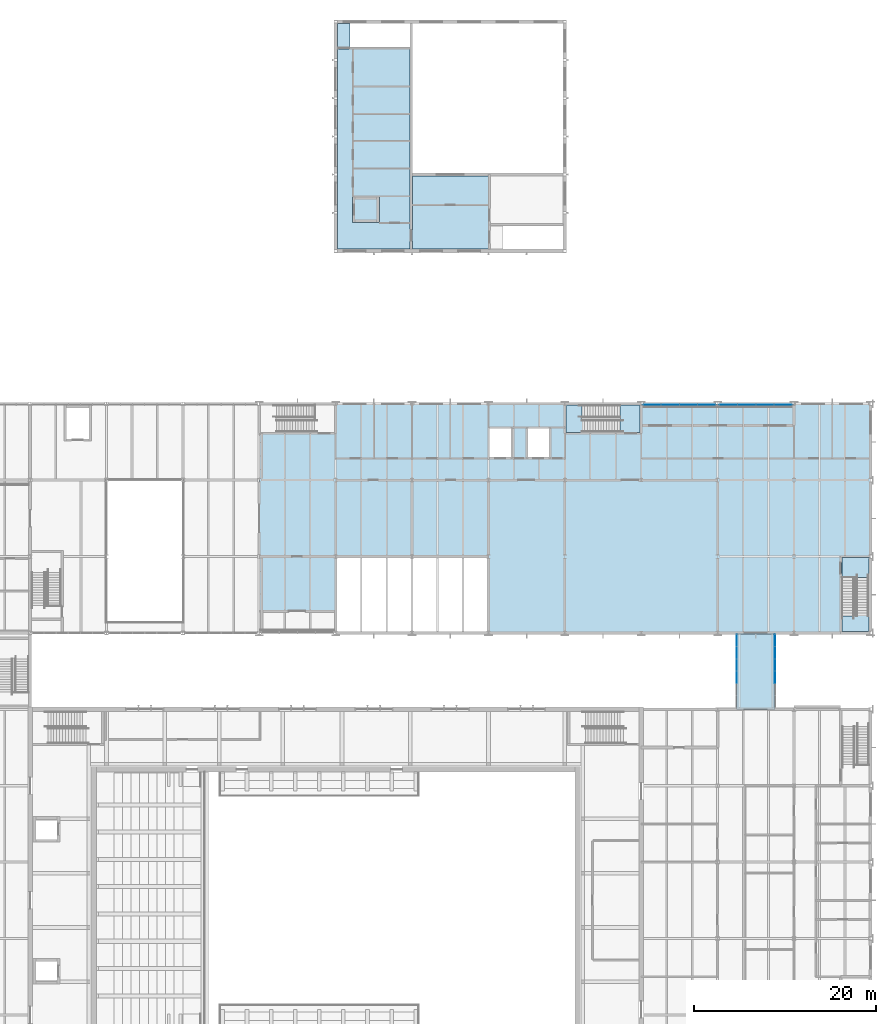
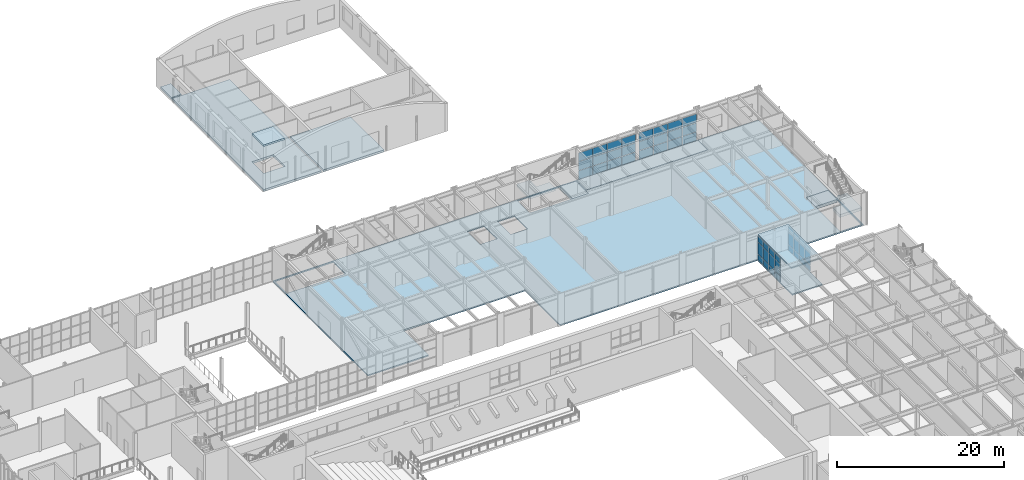
# One storey, part 64 of 127: 48 plates, 12 slabs, 6 elements without a shape of their own.
"""IFC4 building model written with IfcOpenShell, lengths in metres."""

from ifc_helpers import new_model, si_unit, direction, frame, origin, origin_2d, place, context, subcontext, project, spatial, polyline, rectangle, outline, extrude, material, layer, layer_set, type_object, element, aggregate, save


model = new_model("IFC4")

# Units and contexts
model_context = context("Model", 3, precision=1e-05, world=origin(), true_north=direction((0.0, 1.0)))
body_context = subcontext(model_context, "Body", "Model", "MODEL_VIEW")
ifc_project = project(units=[si_unit("LENGTHUNIT", "METRE"), si_unit("AREAUNIT", "SQUARE_METRE"), si_unit("VOLUMEUNIT", "CUBIC_METRE"), si_unit("PLANEANGLEUNIT", "RADIAN"), si_unit("MASSUNIT", "GRAM", prefix="KILO")], contexts=[model_context])

# Site, building, storey
site_placement = place(None, origin())
site = spatial("IfcSite", under=ifc_project, at=site_placement, CompositionType="ELEMENT")
building_placement = place(site_placement, origin())
building = spatial("IfcBuilding", under=site, at=building_placement, Name="Ljudholm Concert House", CompositionType="ELEMENT")
storey_placement = place(building_placement, frame((0.0, 0.0, 5.39990234375)))
storey = spatial("IfcBuildingStorey", under=building, at=storey_placement, Name="L01", CompositionType="ELEMENT", Elevation=5.39990234375)

# Slabs
ifc_material_1 = material(Name="Concrete 5,000 psi", Category="concrete")
ifc_layer_1 = layer(ifc_material_1, 0.179931640625)
ifc_layer_set_1 = layer_set([ifc_layer_1], Name="Concrete 5,000 psi")
slab_type_1 = type_object("IfcSlabType", Name="COMPOSITE FLOOR SLAB 180", PredefinedType="FLOOR", material=ifc_layer_set_1)
slab_1_placement = place(storey_placement, frame((0.0, 0.0, -0.179931640625)))
element("IfcSlab", 1, at=slab_1_placement, inside=storey, type_object=slab_type_1, Name="Composite floor slab", PredefinedType="FLOOR", context=body_context, shape_type="SweptSolid", body=[
    extrude(outline(polyline([(121.60009765625, 130.0), (121.60009765625, 104.800048828125), (79.60009765625, 104.800048828125), (79.60009765625, 113.199951171875), (62.800048828125, 113.199951171875), (62.800048828125, 107.199951171875), (54.39990234375, 107.199951171875), (54.39990234375, 130.0), (96.39990234375, 130.0), (96.39990234375, 127.60009765625), (113.199951171875, 127.60009765625), (113.199951171875, 130.0), (121.60009765625, 130.0)]), holes=[polyline([(121.449951171875, 113.074951171875), (118.449951171875, 113.074951171875), (118.449951171875, 104.949951171875), (121.449951171875, 104.949951171875), (121.449951171875, 113.074951171875)]), polyline([(82.074951171875, 127.27490234375), (79.72509765625, 127.27490234375), (79.72509765625, 124.125), (82.074951171875, 124.125), (82.074951171875, 127.27490234375)]), polyline([(86.27490234375, 127.27490234375), (83.925048828125, 127.27490234375), (83.925048828125, 124.125), (86.27490234375, 124.125), (86.27490234375, 127.27490234375)]), polyline([(62.675048828125, 129.85009765625), (54.550048828125, 129.85009765625), (54.550048828125, 126.85009765625), (62.675048828125, 126.85009765625), (62.675048828125, 129.85009765625)]), polyline([(96.27490234375, 129.85009765625), (88.125, 129.85009765625), (88.125, 126.85009765625), (96.27490234375, 126.85009765625), (96.27490234375, 129.85009765625)])]), origin(), (0.0, 0.0, 1.0), 0.179931640625),
])
slab_2_placement = place(storey_placement, frame((0.0, 0.0, -0.179931640625)))
element("IfcSlab", 2, at=slab_2_placement, inside=storey, type_object=slab_type_1, Name="Bridge floor slab", PredefinedType="FLOOR", context=body_context, shape_type="SweptSolid", body=[
    extrude(outline(polyline([(106.89990234375, 96.39990234375), (111.10009765625, 96.39990234375), (111.10009765625, 104.800048828125), (106.89990234375, 104.800048828125), (106.89990234375, 96.39990234375)])), origin(), (0.0, 0.0, 1.0), 0.179931640625),
])
ifc_material_2 = material(Name="Concrete 5,000 psi", Category="concrete")
ifc_layer_2 = layer(ifc_material_2, 0.179931640625)
ifc_layer_set_2 = layer_set([ifc_layer_2], Name="Concrete 5,000 psi")
slab_type_2 = type_object("IfcSlabType", Name="COMPOSITE FLOOR SLAB 180 EXTERNAL", PredefinedType="FLOOR", material=ifc_layer_set_2)
slab_3_placement = place(storey_placement, frame((0.0, 0.0, -0.179931640625)))
element("IfcSlab", 3, at=slab_3_placement, inside=storey, type_object=slab_type_2, Name="Loggia floor slab", PredefinedType="FLOOR", context=body_context, shape_type="SweptSolid", body=[
    extrude(outline(polyline([(96.39990234375, 127.60009765625), (113.199951171875, 127.60009765625), (113.199951171875, 130.0), (96.39990234375, 130.0), (96.39990234375, 127.60009765625)])), origin(), (0.0, 0.0, 1.0), 0.179931640625),
])
ifc_material_3 = material(Name="Concrete 5,000 psi", Category="concrete")
ifc_layer_3 = layer(ifc_material_3, 0.179931640625)
ifc_layer_set_3 = layer_set([ifc_layer_3], Name="Concrete 5,000 psi")
slab_type_3 = type_object("IfcSlabType", Name="COMPOSITE ROOF SLAB 180", PredefinedType="ROOF", material=ifc_layer_set_3)
slab_4_placement = place(storey_placement, frame((0.0, 0.0, 3.6201171875)))
element("IfcSlab", 4, at=slab_4_placement, inside=storey, type_object=slab_type_3, Name="Bridge roof slab", PredefinedType="ROOF", context=body_context, shape_type="SweptSolid", body=[
    extrude(outline(polyline([(106.89990234375, 96.550048828125), (111.10009765625, 96.550048828125), (111.10009765625, 104.64990234375), (106.89990234375, 104.64990234375), (106.89990234375, 96.550048828125)])), origin(), (0.0, 0.0, 1.0), 0.179931640625),
])

# Curtain wall, plates
ifc_material_4 = material(Name="Aluminium curtain wall with impact-rated laminated glass", Category="aluminium")
curtain_wall_type_1 = type_object("IfcCurtainWallType", Name="CURTAIN WALL 1350", PredefinedType="NOTDEFINED", material=ifc_material_4)
curtain_wall_1_placement = place(storey_placement, origin())
curtain_wall_1 = element("IfcCurtainWall", 5, at=curtain_wall_1_placement, inside=storey, type_object=curtain_wall_type_1, Name="Bridge curtain wall", PredefinedType="NOTDEFINED")
ifc_material_5 = material(Name="Impact-rated laminated glass", Category="glass")
ifc_layer_4 = layer(ifc_material_5, 0.028076171875)
ifc_layer_set_4 = layer_set([ifc_layer_4], Name="Impact-rated laminated glass")
plate_type_1 = type_object("IfcPlateType", Name="CURTAIN PANEL 28", PredefinedType="CURTAIN_PANEL", material=ifc_layer_set_4)
plate_1_placement = place(storey_placement, frame((106.89990234375, 99.925048828125, 0.06005859375), z_axis=(0.0, 0.0, 1.0), x_axis=(0.0, 1.0, 0.0)))
plate_1 = element("IfcPlate", 6, at=plate_1_placement, type_object=plate_type_1, Name="Curtain wall panel", PredefinedType="CURTAIN_PANEL", context=body_context, shape_type="SweptSolid", body=[
    extrude(rectangle(XDim=1.2900390625, YDim=0.028076171875, at=origin_2d()), origin(), (0.0, 0.0, 1.0), 0.81005859375),
])
plate_2_placement = place(storey_placement, frame((106.89990234375, 99.925048828125, 0.93017578125), z_axis=(0.0, 0.0, 1.0), x_axis=(0.0, 1.0, 0.0)))
plate_2 = element("IfcPlate", 7, at=plate_2_placement, type_object=plate_type_1, Name="Curtain wall panel", PredefinedType="CURTAIN_PANEL", context=body_context, shape_type="SweptSolid", body=[
    extrude(rectangle(XDim=1.2900390625, YDim=0.028076171875, at=origin_2d()), origin(), (0.0, 0.0, 1.0), 1.739990234375),
])
plate_3_placement = place(storey_placement, frame((106.89990234375, 99.925048828125, 2.72998046875), z_axis=(0.0, 0.0, 1.0), x_axis=(0.0, 1.0, 0.0)))
plate_3 = element("IfcPlate", 8, at=plate_3_placement, type_object=plate_type_1, Name="Curtain wall panel", PredefinedType="CURTAIN_PANEL", context=body_context, shape_type="SweptSolid", body=[
    extrude(rectangle(XDim=1.2900390625, YDim=0.028076171875, at=origin_2d()), origin(), (0.0, 0.0, 1.0), 0.830078125),
])
plate_4_placement = place(storey_placement, frame((106.89990234375, 101.27490234375, 0.06005859375), z_axis=(0.0, 0.0, 1.0), x_axis=(0.0, 1.0, 0.0)))
plate_4 = element("IfcPlate", 9, at=plate_4_placement, type_object=plate_type_1, Name="Curtain wall panel", PredefinedType="CURTAIN_PANEL", context=body_context, shape_type="SweptSolid", body=[
    extrude(rectangle(XDim=1.2900390625, YDim=0.028076171875, at=origin_2d()), origin(), (0.0, 0.0, 1.0), 0.81005859375),
])
plate_5_placement = place(storey_placement, frame((106.89990234375, 101.27490234375, 0.93017578125), z_axis=(0.0, 0.0, 1.0), x_axis=(0.0, 1.0, 0.0)))
plate_5 = element("IfcPlate", 10, at=plate_5_placement, type_object=plate_type_1, Name="Curtain wall panel", PredefinedType="CURTAIN_PANEL", context=body_context, shape_type="SweptSolid", body=[
    extrude(rectangle(XDim=1.2900390625, YDim=0.028076171875, at=origin_2d()), origin(), (0.0, 0.0, 1.0), 1.739990234375),
])
plate_6_placement = place(storey_placement, frame((106.89990234375, 101.27490234375, 2.72998046875), z_axis=(0.0, 0.0, 1.0), x_axis=(0.0, 1.0, 0.0)))
plate_6 = element("IfcPlate", 11, at=plate_6_placement, type_object=plate_type_1, Name="Curtain wall panel", PredefinedType="CURTAIN_PANEL", context=body_context, shape_type="SweptSolid", body=[
    extrude(rectangle(XDim=1.2900390625, YDim=0.028076171875, at=origin_2d()), origin(), (0.0, 0.0, 1.0), 0.830078125),
])
plate_7_placement = place(storey_placement, frame((106.89990234375, 102.625, 0.06005859375), z_axis=(0.0, 0.0, 1.0), x_axis=(0.0, 1.0, 0.0)))
plate_7 = element("IfcPlate", 12, at=plate_7_placement, type_object=plate_type_1, Name="Curtain wall panel", PredefinedType="CURTAIN_PANEL", context=body_context, shape_type="SweptSolid", body=[
    extrude(rectangle(XDim=1.2900390625, YDim=0.028076171875, at=origin_2d()), origin(), (0.0, 0.0, 1.0), 0.81005859375),
])
plate_8_placement = place(storey_placement, frame((106.89990234375, 102.625, 0.93017578125), z_axis=(0.0, 0.0, 1.0), x_axis=(0.0, 1.0, 0.0)))
plate_8 = element("IfcPlate", 13, at=plate_8_placement, type_object=plate_type_1, Name="Curtain wall panel", PredefinedType="CURTAIN_PANEL", context=body_context, shape_type="SweptSolid", body=[
    extrude(rectangle(XDim=1.2900390625, YDim=0.028076171875, at=origin_2d()), origin(), (0.0, 0.0, 1.0), 1.739990234375),
])
plate_9_placement = place(storey_placement, frame((106.89990234375, 102.625, 2.72998046875), z_axis=(0.0, 0.0, 1.0), x_axis=(0.0, 1.0, 0.0)))
plate_9 = element("IfcPlate", 14, at=plate_9_placement, type_object=plate_type_1, Name="Curtain wall panel", PredefinedType="CURTAIN_PANEL", context=body_context, shape_type="SweptSolid", body=[
    extrude(rectangle(XDim=1.2900390625, YDim=0.028076171875, at=origin_2d()), origin(), (0.0, 0.0, 1.0), 0.830078125),
])
plate_10_placement = place(storey_placement, frame((106.89990234375, 103.9599609375, 0.06005859375), z_axis=(0.0, 0.0, 1.0), x_axis=(0.0, 1.0, 0.0)))
plate_10 = element("IfcPlate", 15, at=plate_10_placement, type_object=plate_type_1, Name="Curtain wall panel", PredefinedType="CURTAIN_PANEL", context=body_context, shape_type="SweptSolid", body=[
    extrude(rectangle(XDim=1.260009765625, YDim=0.028076171875, at=origin_2d()), origin(), (0.0, 0.0, 1.0), 0.81005859375),
])
plate_11_placement = place(storey_placement, frame((106.89990234375, 103.9599609375, 0.93017578125), z_axis=(0.0, 0.0, 1.0), x_axis=(0.0, 1.0, 0.0)))
plate_11 = element("IfcPlate", 16, at=plate_11_placement, type_object=plate_type_1, Name="Curtain wall panel", PredefinedType="CURTAIN_PANEL", context=body_context, shape_type="SweptSolid", body=[
    extrude(rectangle(XDim=1.260009765625, YDim=0.028076171875, at=origin_2d()), origin(), (0.0, 0.0, 1.0), 1.739990234375),
])
plate_12_placement = place(storey_placement, frame((106.89990234375, 103.9599609375, 2.72998046875), z_axis=(0.0, 0.0, 1.0), x_axis=(0.0, 1.0, 0.0)))
plate_12 = element("IfcPlate", 17, at=plate_12_placement, type_object=plate_type_1, Name="Curtain wall panel", PredefinedType="CURTAIN_PANEL", context=body_context, shape_type="SweptSolid", body=[
    extrude(rectangle(XDim=1.260009765625, YDim=0.028076171875, at=origin_2d()), origin(), (0.0, 0.0, 1.0), 0.830078125),
])
aggregate(curtain_wall_1, [plate_1, plate_2, plate_3, plate_4, plate_5, plate_6, plate_7, plate_8, plate_9, plate_10, plate_11, plate_12])

curtain_wall_2_placement = place(storey_placement, origin())
curtain_wall_2 = element("IfcCurtainWall", 18, at=curtain_wall_2_placement, inside=storey, type_object=curtain_wall_type_1, Name="Bridge curtain wall", PredefinedType="NOTDEFINED")
plate_13_placement = place(storey_placement, frame((111.10009765625, 99.925048828125, 0.06005859375), z_axis=(0.0, 0.0, 1.0), x_axis=(0.0, 1.0, 0.0)))
plate_13 = element("IfcPlate", 19, at=plate_13_placement, type_object=plate_type_1, Name="Curtain wall panel", PredefinedType="CURTAIN_PANEL", context=body_context, shape_type="SweptSolid", body=[
    extrude(rectangle(XDim=1.2900390625, YDim=0.028076171875, at=origin_2d()), origin(), (0.0, 0.0, 1.0), 0.81005859375),
])
plate_14_placement = place(storey_placement, frame((111.10009765625, 99.925048828125, 0.93017578125), z_axis=(0.0, 0.0, 1.0), x_axis=(0.0, 1.0, 0.0)))
plate_14 = element("IfcPlate", 20, at=plate_14_placement, type_object=plate_type_1, Name="Curtain wall panel", PredefinedType="CURTAIN_PANEL", context=body_context, shape_type="SweptSolid", body=[
    extrude(rectangle(XDim=1.2900390625, YDim=0.028076171875, at=origin_2d()), origin(), (0.0, 0.0, 1.0), 1.739990234375),
])
plate_15_placement = place(storey_placement, frame((111.10009765625, 99.925048828125, 2.72998046875), z_axis=(0.0, 0.0, 1.0), x_axis=(0.0, 1.0, 0.0)))
plate_15 = element("IfcPlate", 21, at=plate_15_placement, type_object=plate_type_1, Name="Curtain wall panel", PredefinedType="CURTAIN_PANEL", context=body_context, shape_type="SweptSolid", body=[
    extrude(rectangle(XDim=1.2900390625, YDim=0.028076171875, at=origin_2d()), origin(), (0.0, 0.0, 1.0), 0.830078125),
])
plate_16_placement = place(storey_placement, frame((111.10009765625, 101.27490234375, 0.06005859375), z_axis=(0.0, 0.0, 1.0), x_axis=(0.0, 1.0, 0.0)))
plate_16 = element("IfcPlate", 22, at=plate_16_placement, type_object=plate_type_1, Name="Curtain wall panel", PredefinedType="CURTAIN_PANEL", context=body_context, shape_type="SweptSolid", body=[
    extrude(rectangle(XDim=1.2900390625, YDim=0.028076171875, at=origin_2d()), origin(), (0.0, 0.0, 1.0), 0.81005859375),
])
plate_17_placement = place(storey_placement, frame((111.10009765625, 101.27490234375, 0.93017578125), z_axis=(0.0, 0.0, 1.0), x_axis=(0.0, 1.0, 0.0)))
plate_17 = element("IfcPlate", 23, at=plate_17_placement, type_object=plate_type_1, Name="Curtain wall panel", PredefinedType="CURTAIN_PANEL", context=body_context, shape_type="SweptSolid", body=[
    extrude(rectangle(XDim=1.2900390625, YDim=0.028076171875, at=origin_2d()), origin(), (0.0, 0.0, 1.0), 1.739990234375),
])
plate_18_placement = place(storey_placement, frame((111.10009765625, 101.27490234375, 2.72998046875), z_axis=(0.0, 0.0, 1.0), x_axis=(0.0, 1.0, 0.0)))
plate_18 = element("IfcPlate", 24, at=plate_18_placement, type_object=plate_type_1, Name="Curtain wall panel", PredefinedType="CURTAIN_PANEL", context=body_context, shape_type="SweptSolid", body=[
    extrude(rectangle(XDim=1.2900390625, YDim=0.028076171875, at=origin_2d()), origin(), (0.0, 0.0, 1.0), 0.830078125),
])
plate_19_placement = place(storey_placement, frame((111.10009765625, 102.625, 0.06005859375), z_axis=(0.0, 0.0, 1.0), x_axis=(0.0, 1.0, 0.0)))
plate_19 = element("IfcPlate", 25, at=plate_19_placement, type_object=plate_type_1, Name="Curtain wall panel", PredefinedType="CURTAIN_PANEL", context=body_context, shape_type="SweptSolid", body=[
    extrude(rectangle(XDim=1.2900390625, YDim=0.028076171875, at=origin_2d()), origin(), (0.0, 0.0, 1.0), 0.81005859375),
])
plate_20_placement = place(storey_placement, frame((111.10009765625, 102.625, 0.93017578125), z_axis=(0.0, 0.0, 1.0), x_axis=(0.0, 1.0, 0.0)))
plate_20 = element("IfcPlate", 26, at=plate_20_placement, type_object=plate_type_1, Name="Curtain wall panel", PredefinedType="CURTAIN_PANEL", context=body_context, shape_type="SweptSolid", body=[
    extrude(rectangle(XDim=1.2900390625, YDim=0.028076171875, at=origin_2d()), origin(), (0.0, 0.0, 1.0), 1.739990234375),
])
plate_21_placement = place(storey_placement, frame((111.10009765625, 102.625, 2.72998046875), z_axis=(0.0, 0.0, 1.0), x_axis=(0.0, 1.0, 0.0)))
plate_21 = element("IfcPlate", 27, at=plate_21_placement, type_object=plate_type_1, Name="Curtain wall panel", PredefinedType="CURTAIN_PANEL", context=body_context, shape_type="SweptSolid", body=[
    extrude(rectangle(XDim=1.2900390625, YDim=0.028076171875, at=origin_2d()), origin(), (0.0, 0.0, 1.0), 0.830078125),
])
plate_22_placement = place(storey_placement, frame((111.10009765625, 103.9599609375, 0.06005859375), z_axis=(0.0, 0.0, 1.0), x_axis=(0.0, 1.0, 0.0)))
plate_22 = element("IfcPlate", 28, at=plate_22_placement, type_object=plate_type_1, Name="Curtain wall panel", PredefinedType="CURTAIN_PANEL", context=body_context, shape_type="SweptSolid", body=[
    extrude(rectangle(XDim=1.260009765625, YDim=0.028076171875, at=origin_2d()), origin(), (0.0, 0.0, 1.0), 0.81005859375),
])
plate_23_placement = place(storey_placement, frame((111.10009765625, 103.9599609375, 0.93017578125), z_axis=(0.0, 0.0, 1.0), x_axis=(0.0, 1.0, 0.0)))
plate_23 = element("IfcPlate", 29, at=plate_23_placement, type_object=plate_type_1, Name="Curtain wall panel", PredefinedType="CURTAIN_PANEL", context=body_context, shape_type="SweptSolid", body=[
    extrude(rectangle(XDim=1.260009765625, YDim=0.028076171875, at=origin_2d()), origin(), (0.0, 0.0, 1.0), 1.739990234375),
])
plate_24_placement = place(storey_placement, frame((111.10009765625, 103.9599609375, 2.72998046875), z_axis=(0.0, 0.0, 1.0), x_axis=(0.0, 1.0, 0.0)))
plate_24 = element("IfcPlate", 30, at=plate_24_placement, type_object=plate_type_1, Name="Curtain wall panel", PredefinedType="CURTAIN_PANEL", context=body_context, shape_type="SweptSolid", body=[
    extrude(rectangle(XDim=1.260009765625, YDim=0.028076171875, at=origin_2d()), origin(), (0.0, 0.0, 1.0), 0.830078125),
])
aggregate(curtain_wall_2, [plate_13, plate_14, plate_15, plate_16, plate_17, plate_18, plate_19, plate_20, plate_21, plate_22, plate_23, plate_24])

ifc_material_6 = material(Name="Aluminium curtain wall with fixed aluminium storm louvre blades, timber-grain finish", Category="aluminium")
curtain_wall_type_2 = type_object("IfcCurtainWallType", Name="CURTAIN WALL 2000", PredefinedType="NOTDEFINED", material=ifc_material_6)
curtain_wall_3_placement = place(storey_placement, origin())
curtain_wall_3 = element("IfcCurtainWall", 31, at=curtain_wall_3_placement, inside=storey, type_object=curtain_wall_type_2, Name="Storm louvre screen", PredefinedType="NOTDEFINED")
ifc_material_7 = material(Name="Fixed aluminium storm louvre blades, timber-grain finish", Category="aluminium")
ifc_layer_5 = layer(ifc_material_7, 0.030029296875)
ifc_layer_set_5 = layer_set([ifc_layer_5], Name="Fixed aluminium storm louvre blades, timber-grain finish")
plate_type_2 = type_object("IfcPlateType", Name="CURTAIN PANEL 30", PredefinedType="CURTAIN_PANEL", material=ifc_layer_set_5)
plate_25_placement = place(storey_placement, frame((97.607421875, 129.89990234375, 0.06005859375), z_axis=(0.0, 0.0, 1.0), x_axis=(1.0, 0.0, 0.0)))
plate_25 = element("IfcPlate", 32, at=plate_25_placement, type_object=plate_type_2, Name="Curtain wall panel", PredefinedType="CURTAIN_PANEL", context=body_context, shape_type="SweptSolid", body=[
    extrude(rectangle(XDim=1.9150390625, YDim=0.030029296875, at=origin_2d()), origin(), (0.0, 0.0, 1.0), 1.245849609375),
])
plate_26_placement = place(storey_placement, frame((97.607421875, 129.89990234375, 1.365966796875), z_axis=(0.0, 0.0, 1.0), x_axis=(1.0, 0.0, 0.0)))
plate_26 = element("IfcPlate", 33, at=plate_26_placement, type_object=plate_type_2, Name="Curtain wall panel", PredefinedType="CURTAIN_PANEL", context=body_context, shape_type="SweptSolid", body=[
    extrude(rectangle(XDim=1.9150390625, YDim=0.030029296875, at=origin_2d()), origin(), (0.0, 0.0, 1.0), 1.27587890625),
])
plate_27_placement = place(storey_placement, frame((97.607421875, 129.89990234375, 2.7021484375), z_axis=(0.0, 0.0, 1.0), x_axis=(1.0, 0.0, 0.0)))
plate_27 = element("IfcPlate", 34, at=plate_27_placement, type_object=plate_type_2, Name="Curtain wall panel", PredefinedType="CURTAIN_PANEL", context=body_context, shape_type="SweptSolid", body=[
    extrude(rectangle(XDim=1.9150390625, YDim=0.030029296875, at=origin_2d()), origin(), (0.0, 0.0, 1.0), 1.245849609375),
])
plate_28_placement = place(storey_placement, frame((99.597412109375, 129.89990234375, 0.06005859375), z_axis=(0.0, 0.0, 1.0), x_axis=(1.0, 0.0, 0.0)))
plate_28 = element("IfcPlate", 35, at=plate_28_placement, type_object=plate_type_2, Name="Curtain wall panel", PredefinedType="CURTAIN_PANEL", context=body_context, shape_type="SweptSolid", body=[
    extrude(rectangle(XDim=1.945068359375, YDim=0.030029296875, at=origin_2d()), origin(), (0.0, 0.0, 1.0), 1.245849609375),
])
plate_29_placement = place(storey_placement, frame((99.597412109375, 129.89990234375, 1.365966796875), z_axis=(0.0, 0.0, 1.0), x_axis=(1.0, 0.0, 0.0)))
plate_29 = element("IfcPlate", 36, at=plate_29_placement, type_object=plate_type_2, Name="Curtain wall panel", PredefinedType="CURTAIN_PANEL", context=body_context, shape_type="SweptSolid", body=[
    extrude(rectangle(XDim=1.945068359375, YDim=0.030029296875, at=origin_2d()), origin(), (0.0, 0.0, 1.0), 1.27587890625),
])
plate_30_placement = place(storey_placement, frame((99.597412109375, 129.89990234375, 2.7021484375), z_axis=(0.0, 0.0, 1.0), x_axis=(1.0, 0.0, 0.0)))
plate_30 = element("IfcPlate", 37, at=plate_30_placement, type_object=plate_type_2, Name="Curtain wall panel", PredefinedType="CURTAIN_PANEL", context=body_context, shape_type="SweptSolid", body=[
    extrude(rectangle(XDim=1.945068359375, YDim=0.030029296875, at=origin_2d()), origin(), (0.0, 0.0, 1.0), 1.245849609375),
])
plate_31_placement = place(storey_placement, frame((101.6025390625, 129.89990234375, 0.06005859375), z_axis=(0.0, 0.0, 1.0), x_axis=(1.0, 0.0, 0.0)))
plate_31 = element("IfcPlate", 38, at=plate_31_placement, type_object=plate_type_2, Name="Curtain wall panel", PredefinedType="CURTAIN_PANEL", context=body_context, shape_type="SweptSolid", body=[
    extrude(rectangle(XDim=1.945068359375, YDim=0.030029296875, at=origin_2d()), origin(), (0.0, 0.0, 1.0), 1.245849609375),
])
plate_32_placement = place(storey_placement, frame((101.6025390625, 129.89990234375, 1.365966796875), z_axis=(0.0, 0.0, 1.0), x_axis=(1.0, 0.0, 0.0)))
plate_32 = element("IfcPlate", 39, at=plate_32_placement, type_object=plate_type_2, Name="Curtain wall panel", PredefinedType="CURTAIN_PANEL", context=body_context, shape_type="SweptSolid", body=[
    extrude(rectangle(XDim=1.945068359375, YDim=0.030029296875, at=origin_2d()), origin(), (0.0, 0.0, 1.0), 1.27587890625),
])
plate_33_placement = place(storey_placement, frame((101.6025390625, 129.89990234375, 2.7021484375), z_axis=(0.0, 0.0, 1.0), x_axis=(1.0, 0.0, 0.0)))
plate_33 = element("IfcPlate", 40, at=plate_33_placement, type_object=plate_type_2, Name="Curtain wall panel", PredefinedType="CURTAIN_PANEL", context=body_context, shape_type="SweptSolid", body=[
    extrude(rectangle(XDim=1.945068359375, YDim=0.030029296875, at=origin_2d()), origin(), (0.0, 0.0, 1.0), 1.245849609375),
])
plate_34_placement = place(storey_placement, frame((103.592529296875, 129.89990234375, 0.06005859375), z_axis=(0.0, 0.0, 1.0), x_axis=(1.0, 0.0, 0.0)))
plate_34 = element("IfcPlate", 41, at=plate_34_placement, type_object=plate_type_2, Name="Curtain wall panel", PredefinedType="CURTAIN_PANEL", context=body_context, shape_type="SweptSolid", body=[
    extrude(rectangle(XDim=1.9150390625, YDim=0.030029296875, at=origin_2d()), origin(), (0.0, 0.0, 1.0), 1.245849609375),
])
plate_35_placement = place(storey_placement, frame((103.592529296875, 129.89990234375, 1.365966796875), z_axis=(0.0, 0.0, 1.0), x_axis=(1.0, 0.0, 0.0)))
plate_35 = element("IfcPlate", 42, at=plate_35_placement, type_object=plate_type_2, Name="Curtain wall panel", PredefinedType="CURTAIN_PANEL", context=body_context, shape_type="SweptSolid", body=[
    extrude(rectangle(XDim=1.9150390625, YDim=0.030029296875, at=origin_2d()), origin(), (0.0, 0.0, 1.0), 1.27587890625),
])
plate_36_placement = place(storey_placement, frame((103.592529296875, 129.89990234375, 2.7021484375), z_axis=(0.0, 0.0, 1.0), x_axis=(1.0, 0.0, 0.0)))
plate_36 = element("IfcPlate", 43, at=plate_36_placement, type_object=plate_type_2, Name="Curtain wall panel", PredefinedType="CURTAIN_PANEL", context=body_context, shape_type="SweptSolid", body=[
    extrude(rectangle(XDim=1.9150390625, YDim=0.030029296875, at=origin_2d()), origin(), (0.0, 0.0, 1.0), 1.245849609375),
])
aggregate(curtain_wall_3, [plate_25, plate_26, plate_27, plate_28, plate_29, plate_30, plate_31, plate_32, plate_33, plate_34, plate_35, plate_36])

curtain_wall_4_placement = place(storey_placement, origin())
curtain_wall_4 = element("IfcCurtainWall", 44, at=curtain_wall_4_placement, inside=storey, type_object=curtain_wall_type_2, Name="Storm louvre screen", PredefinedType="NOTDEFINED")
plate_37_placement = place(storey_placement, frame((106.007568359375, 129.89990234375, 0.06005859375), z_axis=(0.0, 0.0, 1.0), x_axis=(1.0, 0.0, 0.0)))
plate_37 = element("IfcPlate", 45, at=plate_37_placement, type_object=plate_type_2, Name="Curtain wall panel", PredefinedType="CURTAIN_PANEL", context=body_context, shape_type="SweptSolid", body=[
    extrude(rectangle(XDim=1.9150390625, YDim=0.030029296875, at=origin_2d()), origin(), (0.0, 0.0, 1.0), 1.245849609375),
])
plate_38_placement = place(storey_placement, frame((106.007568359375, 129.89990234375, 1.365966796875), z_axis=(0.0, 0.0, 1.0), x_axis=(1.0, 0.0, 0.0)))
plate_38 = element("IfcPlate", 46, at=plate_38_placement, type_object=plate_type_2, Name="Curtain wall panel", PredefinedType="CURTAIN_PANEL", context=body_context, shape_type="SweptSolid", body=[
    extrude(rectangle(XDim=1.9150390625, YDim=0.030029296875, at=origin_2d()), origin(), (0.0, 0.0, 1.0), 1.27587890625),
])
plate_39_placement = place(storey_placement, frame((106.007568359375, 129.89990234375, 2.7021484375), z_axis=(0.0, 0.0, 1.0), x_axis=(1.0, 0.0, 0.0)))
plate_39 = element("IfcPlate", 47, at=plate_39_placement, type_object=plate_type_2, Name="Curtain wall panel", PredefinedType="CURTAIN_PANEL", context=body_context, shape_type="SweptSolid", body=[
    extrude(rectangle(XDim=1.9150390625, YDim=0.030029296875, at=origin_2d()), origin(), (0.0, 0.0, 1.0), 1.245849609375),
])
plate_40_placement = place(storey_placement, frame((107.99755859375, 129.89990234375, 0.06005859375), z_axis=(0.0, 0.0, 1.0), x_axis=(1.0, 0.0, 0.0)))
plate_40 = element("IfcPlate", 48, at=plate_40_placement, type_object=plate_type_2, Name="Curtain wall panel", PredefinedType="CURTAIN_PANEL", context=body_context, shape_type="SweptSolid", body=[
    extrude(rectangle(XDim=1.945068359375, YDim=0.030029296875, at=origin_2d()), origin(), (0.0, 0.0, 1.0), 1.245849609375),
])
plate_41_placement = place(storey_placement, frame((107.99755859375, 129.89990234375, 1.365966796875), z_axis=(0.0, 0.0, 1.0), x_axis=(1.0, 0.0, 0.0)))
plate_41 = element("IfcPlate", 49, at=plate_41_placement, type_object=plate_type_2, Name="Curtain wall panel", PredefinedType="CURTAIN_PANEL", context=body_context, shape_type="SweptSolid", body=[
    extrude(rectangle(XDim=1.945068359375, YDim=0.030029296875, at=origin_2d()), origin(), (0.0, 0.0, 1.0), 1.27587890625),
])
plate_42_placement = place(storey_placement, frame((107.99755859375, 129.89990234375, 2.7021484375), z_axis=(0.0, 0.0, 1.0), x_axis=(1.0, 0.0, 0.0)))
plate_42 = element("IfcPlate", 50, at=plate_42_placement, type_object=plate_type_2, Name="Curtain wall panel", PredefinedType="CURTAIN_PANEL", context=body_context, shape_type="SweptSolid", body=[
    extrude(rectangle(XDim=1.945068359375, YDim=0.030029296875, at=origin_2d()), origin(), (0.0, 0.0, 1.0), 1.245849609375),
])
plate_43_placement = place(storey_placement, frame((110.00244140625, 129.89990234375, 0.06005859375), z_axis=(0.0, 0.0, 1.0), x_axis=(1.0, 0.0, 0.0)))
plate_43 = element("IfcPlate", 51, at=plate_43_placement, type_object=plate_type_2, Name="Curtain wall panel", PredefinedType="CURTAIN_PANEL", context=body_context, shape_type="SweptSolid", body=[
    extrude(rectangle(XDim=1.945068359375, YDim=0.030029296875, at=origin_2d()), origin(), (0.0, 0.0, 1.0), 1.245849609375),
])
plate_44_placement = place(storey_placement, frame((110.00244140625, 129.89990234375, 1.365966796875), z_axis=(0.0, 0.0, 1.0), x_axis=(1.0, 0.0, 0.0)))
plate_44 = element("IfcPlate", 52, at=plate_44_placement, type_object=plate_type_2, Name="Curtain wall panel", PredefinedType="CURTAIN_PANEL", context=body_context, shape_type="SweptSolid", body=[
    extrude(rectangle(XDim=1.945068359375, YDim=0.030029296875, at=origin_2d()), origin(), (0.0, 0.0, 1.0), 1.27587890625),
])
plate_45_placement = place(storey_placement, frame((110.00244140625, 129.89990234375, 2.7021484375), z_axis=(0.0, 0.0, 1.0), x_axis=(1.0, 0.0, 0.0)))
plate_45 = element("IfcPlate", 53, at=plate_45_placement, type_object=plate_type_2, Name="Curtain wall panel", PredefinedType="CURTAIN_PANEL", context=body_context, shape_type="SweptSolid", body=[
    extrude(rectangle(XDim=1.945068359375, YDim=0.030029296875, at=origin_2d()), origin(), (0.0, 0.0, 1.0), 1.245849609375),
])
plate_46_placement = place(storey_placement, frame((111.992431640625, 129.89990234375, 0.06005859375), z_axis=(0.0, 0.0, 1.0), x_axis=(1.0, 0.0, 0.0)))
plate_46 = element("IfcPlate", 54, at=plate_46_placement, type_object=plate_type_2, Name="Curtain wall panel", PredefinedType="CURTAIN_PANEL", context=body_context, shape_type="SweptSolid", body=[
    extrude(rectangle(XDim=1.9150390625, YDim=0.030029296875, at=origin_2d()), origin(), (0.0, 0.0, 1.0), 1.245849609375),
])
plate_47_placement = place(storey_placement, frame((111.992431640625, 129.89990234375, 1.365966796875), z_axis=(0.0, 0.0, 1.0), x_axis=(1.0, 0.0, 0.0)))
plate_47 = element("IfcPlate", 55, at=plate_47_placement, type_object=plate_type_2, Name="Curtain wall panel", PredefinedType="CURTAIN_PANEL", context=body_context, shape_type="SweptSolid", body=[
    extrude(rectangle(XDim=1.9150390625, YDim=0.030029296875, at=origin_2d()), origin(), (0.0, 0.0, 1.0), 1.27587890625),
])
plate_48_placement = place(storey_placement, frame((111.992431640625, 129.89990234375, 2.7021484375), z_axis=(0.0, 0.0, 1.0), x_axis=(1.0, 0.0, 0.0)))
plate_48 = element("IfcPlate", 56, at=plate_48_placement, type_object=plate_type_2, Name="Curtain wall panel", PredefinedType="CURTAIN_PANEL", context=body_context, shape_type="SweptSolid", body=[
    extrude(rectangle(XDim=1.9150390625, YDim=0.030029296875, at=origin_2d()), origin(), (0.0, 0.0, 1.0), 1.245849609375),
])
aggregate(curtain_wall_4, [plate_37, plate_38, plate_39, plate_40, plate_41, plate_42, plate_43, plate_44, plate_45, plate_46, plate_47, plate_48])

# Slabs
ifc_material_8 = material(Name="Concrete 5,000 psi", Category="concrete")
ifc_layer_6 = layer(ifc_material_8, 0.300048828125)
ifc_layer_set_6 = layer_set([ifc_layer_6], Name="Concrete 5,000 psi")
slab_type_4 = type_object("IfcSlabType", Name="RC FLOOR SLAB 300", PredefinedType="FLOOR", material=ifc_layer_set_6)
slab_5_placement = place(storey_placement, frame((0.0, 0.0, -0.2998046875)))
element("IfcSlab", 57, at=slab_5_placement, inside=storey, type_object=slab_type_4, Name="West strip floor", PredefinedType="FLOOR", context=body_context, shape_type="SweptSolid", body=[
    extrude(outline(polyline([(63.0, 147.0), (70.949951171875, 147.0), (70.949951171875, 169.0), (63.0, 169.0), (63.0, 147.0)]), holes=[polyline([(64.64990234375, 149.949951171875), (67.60009765625, 149.949951171875), (67.60009765625, 152.75), (64.64990234375, 152.75), (64.64990234375, 149.949951171875)])]), origin(), (0.0, 0.0, 1.0), 0.2998046875),
])
slab_6_placement = place(storey_placement, frame((0.0, 0.0, -0.2998046875)))
element("IfcSlab", 58, at=slab_6_placement, inside=storey, type_object=slab_type_4, Name="Mezzanine lobby floor", PredefinedType="FLOOR", context=body_context, shape_type="SweptSolid", body=[
    extrude(outline(polyline([(71.25, 147.0), (79.60009765625, 147.0), (79.60009765625, 155.050048828125), (71.25, 155.050048828125), (71.25, 147.0)])), origin(), (0.0, 0.0, 1.0), 0.2998046875),
])
slab_7_placement = place(storey_placement, frame((0.0, 0.0, -0.2998046875)))
element("IfcSlab", 59, at=slab_7_placement, inside=storey, type_object=slab_type_4, Name="Stair arrival floor S1", PredefinedType="FLOOR", context=body_context, shape_type="SweptSolid", body=[
    extrude(outline(polyline([(63.0, 169.199951171875), (64.400390625, 169.199951171875), (64.400390625, 171.800048828125), (63.0, 171.800048828125), (63.0, 169.199951171875)])), origin(), (0.0, 0.0, 1.0), 0.2998046875),
])

# Stair, slab
ifc_material_9 = material(Name="Concrete 5,000 psi", Category="concrete")
stair_type = type_object("IfcStairType", Name="RC STAIR 1350x160x300", PredefinedType="HALF_TURN_STAIR", material=ifc_material_9)
stair_1_placement = place(storey_placement, origin())
stair_1 = element("IfcStair", 60, at=stair_1_placement, inside=storey, type_object=stair_type, Name="Stair R2", PredefinedType="HALF_TURN_STAIR")
ifc_material_10 = material(Name="Concrete 5,000 psi", Category="concrete")
ifc_layer_7 = layer(ifc_material_10, 0.409912109375)
ifc_layer_set_7 = layer_set([ifc_layer_7], Name="Concrete 5,000 psi")
slab_type_5 = type_object("IfcSlabType", Name="RC LANDING 410", PredefinedType="LANDING", material=ifc_layer_set_7)
slab_8_placement = place(storey_placement, frame((0.0, 0.0, 1.989990234375)))
slab_8 = element("IfcSlab", 61, at=slab_8_placement, type_object=slab_type_5, Name="Stair landing", PredefinedType="LANDING", context=body_context, shape_type="SweptSolid", body=[
    extrude(outline(polyline([(91.705078125, 126.85009765625), (91.705078125, 128.25), (89.87548828125, 128.25), (89.87548828125, 129.85009765625), (88.125, 129.85009765625), (88.125, 126.85009765625), (91.705078125, 126.85009765625)])), origin(), (0.0, 0.0, 1.0), 0.41015625),
])
aggregate(stair_1, [slab_8])

stair_2_placement = place(storey_placement, origin())
stair_2 = element("IfcStair", 62, at=stair_2_placement, inside=storey, type_object=stair_type, Name="Stair R3", PredefinedType="HALF_TURN_STAIR")
slab_9_placement = place(storey_placement, frame((0.0, 0.0, 1.989990234375)))
slab_9 = element("IfcSlab", 63, at=slab_9_placement, type_object=slab_type_5, Name="Stair landing", PredefinedType="LANDING", context=body_context, shape_type="SweptSolid", body=[
    extrude(outline(polyline([(121.449951171875, 108.5048828125), (120.050048828125, 108.5048828125), (120.050048828125, 106.675537109375), (118.449951171875, 106.675537109375), (118.449951171875, 104.949951171875), (121.449951171875, 104.949951171875), (121.449951171875, 108.5048828125)])), origin(), (0.0, 0.0, 1.0), 0.41015625),
])
aggregate(stair_2, [slab_9])

# Slabs
slab_10_placement = place(storey_placement, frame((0.0, 0.0, -0.409912109375)))
element("IfcSlab", 64, at=slab_10_placement, inside=storey, type_object=slab_type_5, Name="Stair arrival slab", PredefinedType="LANDING", context=body_context, shape_type="SweptSolid", body=[
    extrude(outline(polyline([(96.27490234375, 129.85009765625), (96.27490234375, 126.85009765625), (94.074462890625, 126.85009765625), (94.074462890625, 129.85009765625), (96.27490234375, 129.85009765625)])), origin(), (0.0, 0.0, 1.0), 0.409912109375),
])
slab_11_placement = place(storey_placement, frame((0.0, 0.0, -0.409912109375)))
element("IfcSlab", 65, at=slab_11_placement, inside=storey, type_object=slab_type_5, Name="Stair arrival slab", PredefinedType="LANDING", context=body_context, shape_type="SweptSolid", body=[
    extrude(outline(polyline([(118.449951171875, 113.074951171875), (121.449951171875, 113.074951171875), (121.449951171875, 110.87451171875), (118.449951171875, 110.87451171875), (118.449951171875, 113.074951171875)])), origin(), (0.0, 0.0, 1.0), 0.409912109375),
])
ifc_material_11 = material(Name="Concrete 5,000 psi", Category="concrete")
ifc_layer_8 = layer(ifc_material_11, 0.25)
ifc_layer_set_8 = layer_set([ifc_layer_8], Name="Concrete 5,000 psi")
slab_type_6 = type_object("IfcSlabType", Name="RC ROOF SLAB 250", PredefinedType="ROOF", material=ifc_layer_set_8)
slab_12_placement = place(storey_placement, frame((0.0, 0.0, 3.900146484375)))
element("IfcSlab", 66, at=slab_12_placement, inside=storey, type_object=slab_type_6, Name="Lift overrun roof slab", PredefinedType="ROOF", context=body_context, shape_type="SweptSolid", body=[
    extrude(outline(polyline([(64.64990234375, 149.949951171875), (67.60009765625, 149.949951171875), (67.60009765625, 152.75), (64.64990234375, 152.75), (64.64990234375, 149.949951171875)])), origin(), (0.0, 0.0, 1.0), 0.25),
])

save(model, "model.ifc")
